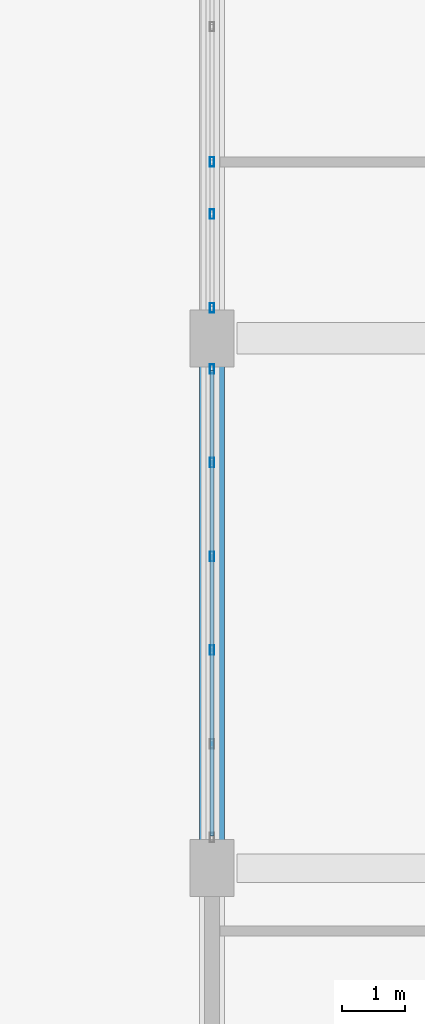
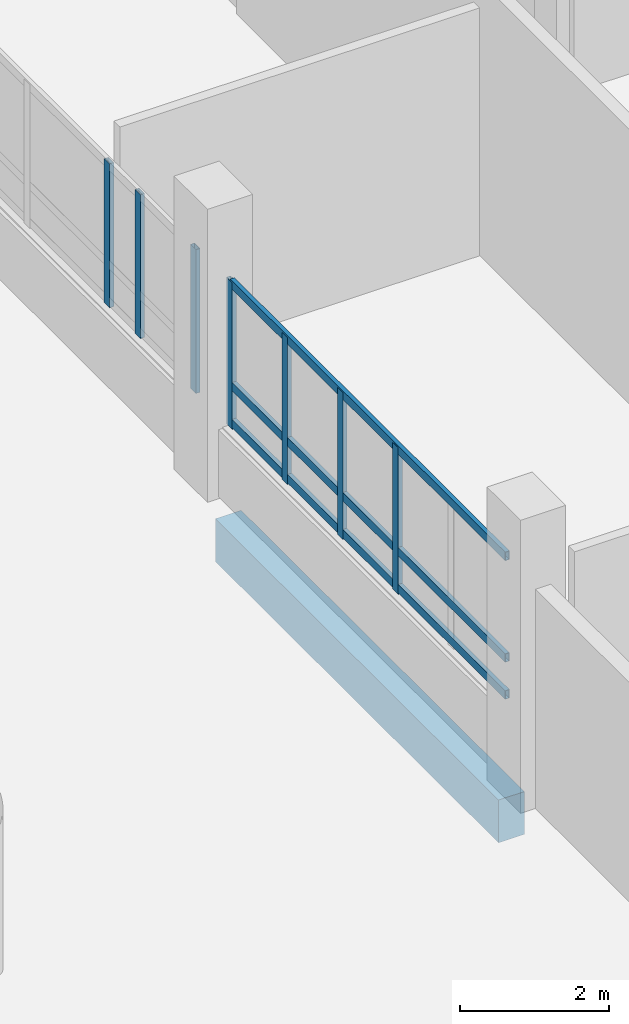
# One storey, part 44 of 95: 10 members, 1 beam, 2 elements without a shape of their own.
"""IFC4 building model written with IfcOpenShell, lengths in metres."""

from ifc_helpers import new_model, si_unit, direction, frame, origin, origin_2d, place, context, subcontext, project, spatial, rectangle, hollow_rectangle, extrude, material, layer, layer_set, material_profile, profile_set, type_object, element, aggregate, save


model = new_model("IFC4")

# Units and contexts
model_context = context("Model", 3, precision=1e-05, world=origin(), true_north=direction((0.0, 1.0)))
body_context = subcontext(model_context, "Body", "Model", "MODEL_VIEW")
ifc_project = project(units=[si_unit("LENGTHUNIT", "METRE"), si_unit("AREAUNIT", "SQUARE_METRE"), si_unit("VOLUMEUNIT", "CUBIC_METRE"), si_unit("PLANEANGLEUNIT", "RADIAN"), si_unit("MASSUNIT", "GRAM", prefix="KILO")], contexts=[model_context])

# Site, building, storey
site_placement = place(None, origin())
site = spatial("IfcSite", under=ifc_project, at=site_placement, CompositionType="ELEMENT")
building_placement = place(site_placement, origin())
building = spatial("IfcBuilding", under=site, at=building_placement, Name="Vireocrest Preparatory School", CompositionType="ELEMENT")
storey_placement = place(building_placement, origin())
storey = spatial("IfcBuildingStorey", under=building, at=storey_placement, Name="L00", CompositionType="ELEMENT", Elevation=0.0)

# Curtain wall, members
ifc_material_1 = material(Name="Thermally broken aluminium EN AW-6063-T6", Category="aluminium")
ifc_layer = layer(ifc_material_1, 0.179931640625)
ifc_layer_set = layer_set([ifc_layer], Name="Thermally broken aluminium EN AW-6063-T6")
curtain_wall_type = type_object("IfcCurtainWallType", Name="Court Banded Curtain Wall 8400x3600", PredefinedType="USERDEFINED", material=ifc_layer_set)
curtain_wall_1_placement = place(storey_placement, origin())
curtain_wall_1 = element("IfcCurtainWall", 1, at=curtain_wall_1_placement, inside=storey, type_object=curtain_wall_type, Name="Curtain Wall CW01 CW_L00_CW01_0924_0610_012", ObjectType="CURTAIN WALL", PredefinedType="USERDEFINED")
ifc_material_profile_1 = material_profile(ifc_material_1, hollow_rectangle(XDim=0.06494140625, YDim=0.14990234375, WallThickness=0.00390625, at=origin_2d()), Name="ALU 65x150x4")
ifc_profile_set_1 = profile_set([ifc_material_profile_1], Name="Thermally broken aluminium EN AW-6063-T6")
member_type_1 = type_object("IfcMemberType", Name="CW Mullion 65x150x4", PredefinedType="MULLION", material=ifc_profile_set_1)
member_1_placement = place(storey_placement, frame((92.39990234375, 64.056884765625, 1.14990234375), z_axis=(0.0, 0.0, 1.0), x_axis=(1.0, 0.0, 0.0)))
member_1 = element("IfcMember", 2, at=member_1_placement, type_object=member_type_1, Name="CW Mullion ML1 CW_L00_CW01_0924_0610_012-3", PredefinedType="MULLION", context=body_context, shape_type="SweptSolid", body=[
    extrude(hollow_rectangle(XDim=0.06494140625, YDim=0.14990234375, WallThickness=0.00390625, at=origin_2d()), origin(), (0.0, 0.0, 1.0), 2.405029296875),
])
member_2_placement = place(storey_placement, frame((92.39990234375, 65.54296875, 1.14990234375), z_axis=(0.0, 0.0, 1.0), x_axis=(1.0, 0.0, 0.0)))
member_2 = element("IfcMember", 3, at=member_2_placement, type_object=member_type_1, Name="CW Mullion ML1 CW_L00_CW01_0924_0610_012-4", PredefinedType="MULLION", context=body_context, shape_type="SweptSolid", body=[
    extrude(hollow_rectangle(XDim=0.06494140625, YDim=0.14990234375, WallThickness=0.00390625, at=origin_2d()), origin(), (0.0, 0.0, 1.0), 2.405029296875),
])
member_3_placement = place(storey_placement, frame((92.39990234375, 67.029052734375, 1.14990234375), z_axis=(0.0, 0.0, 1.0), x_axis=(1.0, 0.0, 0.0)))
member_3 = element("IfcMember", 4, at=member_3_placement, type_object=member_type_1, Name="CW Mullion ML1 CW_L00_CW01_0924_0610_012-5", PredefinedType="MULLION", context=body_context, shape_type="SweptSolid", body=[
    extrude(hollow_rectangle(XDim=0.06494140625, YDim=0.14990234375, WallThickness=0.00390625, at=origin_2d()), origin(), (0.0, 0.0, 1.0), 2.405029296875),
])
member_4_placement = place(storey_placement, frame((92.39990234375, 68.514892578125, 1.14990234375), z_axis=(0.0, 0.0, 1.0), x_axis=(1.0, 0.0, 0.0)))
member_4 = element("IfcMember", 5, at=member_4_placement, type_object=member_type_1, Name="CW Mullion ML1 CW_L00_CW01_0924_0610_012-6", PredefinedType="MULLION", context=body_context, shape_type="SweptSolid", body=[
    extrude(hollow_rectangle(XDim=0.06494140625, YDim=0.14990234375, WallThickness=0.00390625, at=origin_2d()), origin(), (0.0, 0.0, 1.0), 2.405029296875),
])

curtain_wall_2_placement = place(storey_placement, origin())
curtain_wall_2 = element("IfcCurtainWall", 6, at=curtain_wall_2_placement, inside=storey, type_object=curtain_wall_type, Name="Curtain Wall CW01 CW_L00_CW01_0924_0694_012", ObjectType="CURTAIN WALL", PredefinedType="USERDEFINED")
member_5_placement = place(storey_placement, frame((92.39990234375, 69.485107421875, 1.14990234375), z_axis=(0.0, 0.0, 1.0), x_axis=(1.0, 0.0, 0.0)))
member_5 = element("IfcMember", 7, at=member_5_placement, type_object=member_type_1, Name="CW Mullion ML1 CW_L00_CW01_0924_0694_012-1", PredefinedType="MULLION", context=body_context, shape_type="SweptSolid", body=[
    extrude(hollow_rectangle(XDim=0.06494140625, YDim=0.14990234375, WallThickness=0.00390625, at=origin_2d()), origin(), (0.0, 0.0, 1.0), 2.35498046875),
])
member_6_placement = place(storey_placement, frame((92.39990234375, 70.970947265625, 1.14990234375), z_axis=(0.0, 0.0, 1.0), x_axis=(1.0, 0.0, 0.0)))
member_6 = element("IfcMember", 8, at=member_6_placement, type_object=member_type_1, Name="CW Mullion ML1 CW_L00_CW01_0924_0694_012-2", PredefinedType="MULLION", context=body_context, shape_type="SweptSolid", body=[
    extrude(hollow_rectangle(XDim=0.06494140625, YDim=0.14990234375, WallThickness=0.00390625, at=origin_2d()), origin(), (0.0, 0.0, 1.0), 2.35498046875),
])
member_7_placement = place(storey_placement, frame((92.39990234375, 71.800048828125, 1.14990234375), z_axis=(0.0, 0.0, 1.0), x_axis=(1.0, 0.0, 0.0)))
member_7 = element("IfcMember", 9, at=member_7_placement, type_object=member_type_1, Name="CW Mullion ML1 CW_L00_CW01_0924_0694_012-3", PredefinedType="MULLION", context=body_context, shape_type="SweptSolid", body=[
    extrude(hollow_rectangle(XDim=0.06494140625, YDim=0.14990234375, WallThickness=0.00390625, at=origin_2d()), origin(), (0.0, 0.0, 1.0), 2.35498046875),
])
aggregate(curtain_wall_2, [member_5, member_6, member_7])

# Member
ifc_material_profile_2 = material_profile(ifc_material_1, hollow_rectangle(XDim=0.06494140625, YDim=0.139892578125, WallThickness=0.00390625, at=origin_2d()), Name="ALU 65x140x4")
ifc_profile_set_2 = profile_set([ifc_material_profile_2], Name="Thermally broken aluminium EN AW-6063-T6")
member_type_2 = type_object("IfcMemberType", Name="CW Transom 65x140x4", PredefinedType="USERDEFINED", material=ifc_profile_set_2)
member_8_placement = place(storey_placement, frame((92.39990234375, 61.110107421875, 1.2451171875), z_axis=(0.0, 1.0, 0.0), x_axis=(-1.0, 0.0, 0.0)))
member_8 = element("IfcMember", 10, at=member_8_placement, type_object=member_type_2, Name="CW Transom TR1 CW_L00_CW01_0924_0610_012-1", ObjectType="TRANSOM", PredefinedType="USERDEFINED", context=body_context, shape_type="SweptSolid", body=[
    extrude(hollow_rectangle(XDim=0.06494140625, YDim=0.139892578125, WallThickness=0.00390625, at=origin_2d()), origin(), (0.0, 0.0, 1.0), 7.3798828125),
])

member_9_placement = place(storey_placement, frame((92.39990234375, 61.110107421875, 1.85009765625), z_axis=(0.0, 1.0, 0.0), x_axis=(-1.0, 0.0, 0.0)))
member_9 = element("IfcMember", 11, at=member_9_placement, type_object=member_type_2, Name="CW Transom TR1 CW_L00_CW01_0924_0610_012-2", ObjectType="TRANSOM", PredefinedType="USERDEFINED", context=body_context, shape_type="SweptSolid", body=[
    extrude(hollow_rectangle(XDim=0.06494140625, YDim=0.139892578125, WallThickness=0.00390625, at=origin_2d()), origin(), (0.0, 0.0, 1.0), 7.3798828125),
])

member_10_placement = place(storey_placement, frame((92.39990234375, 61.110107421875, 3.514892578125), z_axis=(0.0, 1.0, 0.0), x_axis=(-1.0, 0.0, 0.0)))
member_10 = element("IfcMember", 12, at=member_10_placement, type_object=member_type_2, Name="CW Transom TR1 CW_L00_CW01_0924_0610_012-3", ObjectType="TRANSOM", PredefinedType="USERDEFINED", context=body_context, shape_type="SweptSolid", body=[
    extrude(hollow_rectangle(XDim=0.06494140625, YDim=0.139892578125, WallThickness=0.00390625, at=origin_2d()), origin(), (0.0, 0.0, 1.0), 7.3798828125),
])

aggregate(curtain_wall_1, [member_1, member_2, member_3, member_4, member_8, member_9, member_10])

# Beam
ifc_material_2 = material(Name="Concrete 40 MPa", Category="concrete")
ifc_material_profile_3 = material_profile(ifc_material_2, rectangle(XDim=0.39990234375, YDim=0.699951171875, at=origin_2d()), Name="RC 400x700")
ifc_profile_set_3 = profile_set([ifc_material_profile_3], Name="Concrete 40 MPa")
beam_type = type_object("IfcBeamType", Name="RC Corridor Girder 400x700", PredefinedType="BEAM", material=ifc_profile_set_3)
beam_placement = place(storey_placement, frame((92.39990234375, 61.0, -0.699951171875), z_axis=(0.0, 1.0, 0.0), x_axis=(-1.0, 0.0, 0.0)))
element("IfcBeam", 13, at=beam_placement, inside=storey, type_object=beam_type, Name="Primary Girder B08 L00-0199", PredefinedType="BEAM", context=body_context, shape_type="SweptSolid", body=[
    extrude(rectangle(XDim=0.39990234375, YDim=0.699951171875, at=origin_2d()), origin(), (0.0, 0.0, 1.0), 7.60009765625),
])

save(model, "model.ifc")
